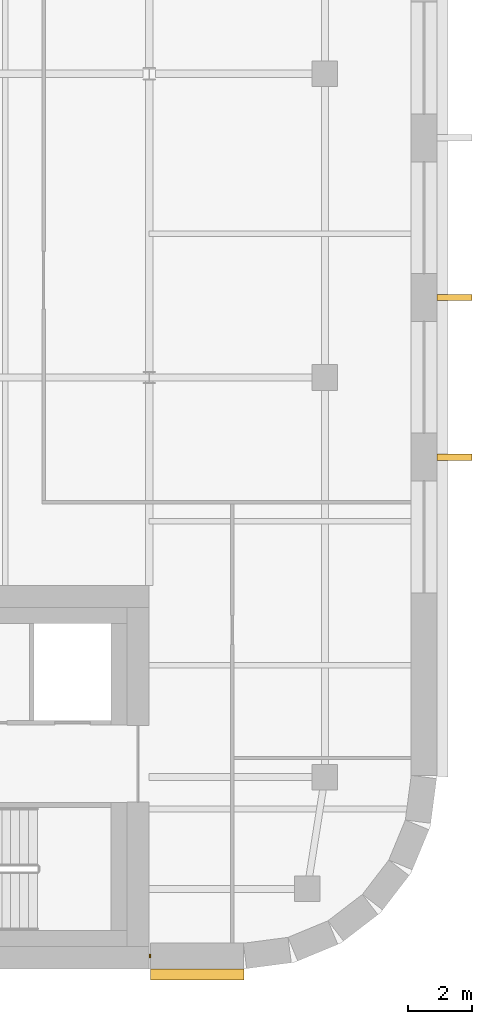
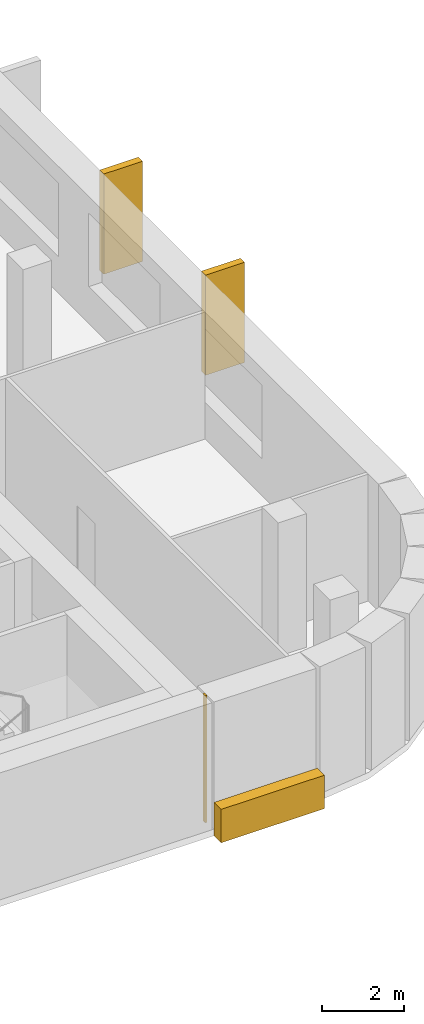
# One storey, part 15 of 16: 4 coverings.
"""IFC4 building model written with IfcOpenShell, lengths in metres."""

import ifcopenshell
import ifcopenshell.guid

model = None  # the IFC model being written
_history = None  # IfcOwnerHistory: only IFC2X3 demands one
_inside = {}  # id of a spatial element -> (the spatial element, [elements in it])
_under = {}  # id of a project, library or spatial element -> (it, [spatial elements below it])
_declared = {}  # id of a project -> (the project, [libraries it declares])
_typed = {}  # id of a type object -> (the type object, [elements of that type])
_made_of = {}  # id of a material, layer set ... -> (it, [elements and type objects made of it])


def new_model(schema):
    """Start an empty IFC model of exactly this schema.

    Asked for "IFC4X3", IfcOpenShell would pick the latest addendum, in which some entities
    have other attributes; the version numbers below select the first issue.
    IFC2X3 requires an IfcOwnerHistory on every rooted entity: one is made here for all.
    """
    global model, _history
    if schema == "IFC4X3":
        model = ifcopenshell.file(schema_version=(4, 3, 0, 0))
    else:
        model = ifcopenshell.file(schema=schema)
    _inside.clear()
    _under.clear()
    _declared.clear()
    _typed.clear()
    _made_of.clear()
    _history = None
    if model.schema == "IFC2X3":
        org = make("IfcOrganization", Name="unknown")
        user = make(
            "IfcPersonAndOrganization",
            ThePerson=make("IfcPerson", FamilyName="unknown"),
            TheOrganization=org,
        )
        app = make(
            "IfcApplication",
            ApplicationDeveloper=org,
            Version="unknown",
            ApplicationFullName="unknown",
            ApplicationIdentifier="unknown",
        )
        _history = make(
            "IfcOwnerHistory",
            OwningUser=user,
            OwningApplication=app,
            ChangeAction="ADDED",
            CreationDate=0,
        )
    return model


def make(cls, **values):
    """One entity of the class cls with the attributes given. An attribute that is None is left unset."""
    return model.create_entity(
        cls, **{name: value for name, value in values.items() if value is not None}
    )


def rooted(cls, **values):
    """An entity with a GlobalId (a new one), such as an element, a storey or a relation."""
    return make(cls, GlobalId=ifcopenshell.guid.new(), OwnerHistory=_history, **values)


def si_unit(unit_type, name, prefix=None):
    """IfcSIUnit, for example si_unit("LENGTHUNIT", "METRE", prefix="MILLI")."""
    return make("IfcSIUnit", UnitType=unit_type, Prefix=prefix, Name=name)


def assignment(units):
    """IfcUnitAssignment: the units of a project."""
    return None if units is None else make("IfcUnitAssignment", Units=units)


def point(xyz):
    """IfcCartesianPoint."""
    return None if xyz is None else make("IfcCartesianPoint", Coordinates=xyz)


def direction(xyz):
    """IfcDirection."""
    return None if xyz is None else make("IfcDirection", DirectionRatios=xyz)


def frame(location, z_axis=None, x_axis=None):
    """IfcAxis2Placement3D, a coordinate frame: its origin and axes. An axis left out is left unset."""
    return make(
        "IfcAxis2Placement3D",
        Location=point(location),
        Axis=direction(z_axis),
        RefDirection=direction(x_axis),
    )


def frame_2d(location, x_axis=None):
    """IfcAxis2Placement2D, a coordinate frame in the plane: its origin and x axis."""
    return make(
        "IfcAxis2Placement2D", Location=point(location), RefDirection=direction(x_axis)
    )


def origin():
    """The frame at (0, 0, 0) with its axes left unset."""
    return frame((0.0, 0.0, 0.0))


def origin_2d():
    """The frame at (0, 0) in the plane with its x axis left unset."""
    return frame_2d((0.0, 0.0))


def place(relative_to, where):
    """IfcLocalPlacement: puts the frame where relative to a parent placement (None: the world)."""
    return make(
        "IfcLocalPlacement", PlacementRelTo=relative_to, RelativePlacement=where
    )


def context(
    kind, dimensions, precision=None, world=None, true_north=None, identifier=None
):
    """IfcGeometricRepresentationContext, for example the 3D "Model" context."""
    return make(
        "IfcGeometricRepresentationContext",
        ContextIdentifier=identifier,
        ContextType=kind,
        CoordinateSpaceDimension=dimensions,
        Precision=precision,
        WorldCoordinateSystem=world,
        TrueNorth=true_north,
    )


def subcontext(parent, identifier, kind, view, scale=None):
    """IfcGeometricRepresentationSubContext, for example "Body" below "Model"."""
    return make(
        "IfcGeometricRepresentationSubContext",
        ContextIdentifier=identifier,
        ContextType=kind,
        ParentContext=parent,
        TargetScale=scale,
        TargetView=view,
    )


def project(units=None, contexts=None):
    """IfcProject with its units and contexts."""
    return rooted(
        "IfcProject",
        Name="project",
        RepresentationContexts=contexts,
        UnitsInContext=assignment(units),
    )


def spatial(cls, under=None, at=None, **own):
    """A site, building, storey or space (cls), placed at a placement, below another one or the project."""
    s = rooted(cls, ObjectPlacement=at, **own)
    if under is not None:
        _under.setdefault(under.id(), (under, []))[1].append(s)
    return s


def polyline(points):
    """IfcPolyline through the points."""
    return make("IfcPolyline", Points=[point(p) for p in points])


def profile(cls, at=None, kind="AREA", **sizes):
    """A parametric profile (cls). Its sizes go by their IFC names, for example OverallWidth=200.0."""
    return make(cls, ProfileType=kind, Position=at, **sizes)


def rectangle(**sizes):
    """IfcRectangleProfileDef."""
    return profile("IfcRectangleProfileDef", **sizes)


def outline(outer, holes=None, kind="AREA"):
    """IfcArbitraryClosedProfileDef: a profile drawn as a closed curve; with holes, ...WithVoids."""
    if holes is None:
        return make("IfcArbitraryClosedProfileDef", ProfileType=kind, OuterCurve=outer)
    return make(
        "IfcArbitraryProfileDefWithVoids",
        ProfileType=kind,
        OuterCurve=outer,
        InnerCurves=holes,
    )


def extrude(swept, where, along, depth):
    """IfcExtrudedAreaSolid: the profile swept, set in the frame where, extruded along a direction by depth."""
    return make(
        "IfcExtrudedAreaSolid",
        SweptArea=swept,
        Position=where,
        ExtrudedDirection=direction(along),
        Depth=depth,
    )


def shape(context_of_items, identifier, shape_type, items):
    """IfcShapeRepresentation: the items that make up one representation, for example the "Body"."""
    return make(
        "IfcShapeRepresentation",
        ContextOfItems=context_of_items,
        RepresentationIdentifier=identifier,
        RepresentationType=shape_type,
        Items=items,
    )


def material(Name=None, Category=None):
    """IfcMaterial."""
    return make("IfcMaterial", Name=Name, Category=Category)


def layer(
    of_material, thickness, ventilated=None, Name=None, Category=None, Priority=None
):
    """IfcMaterialLayer: one layer of a wall or slab, of a material (None: an air gap)."""
    return make(
        "IfcMaterialLayer",
        Material=of_material,
        LayerThickness=thickness,
        IsVentilated=ventilated,
        Name=Name,
        Category=Category,
        Priority=Priority,
    )


def layer_set(layers, Name=None):
    """IfcMaterialLayerSet."""
    return make("IfcMaterialLayerSet", MaterialLayers=layers, LayerSetName=Name)


def made_of(thing, what):
    """Note that an element or type object is made of a material, layer set ...; save() writes the relation."""
    if what is not None:
        _made_of.setdefault(what.id(), (what, []))[1].append(thing)
    return thing


def type_object(cls, material=None, **own):
    """A type object (cls), such as IfcWallType, which elements share."""
    return made_of(rooted(cls, **own), material)


def element(
    cls,
    number,
    at=None,
    inside=None,
    cuts=None,
    type_object=None,
    material=None,
    context=None,
    identifier="Body",
    shape_type=None,
    held_by="IfcProductDefinitionShape",
    body=None,
    shapes=None,
    **own,
):
    """One element of the class cls, such as IfcWall. Its Tag is "e" and its number.

    at: its placement. inside: the storey or other place that contains it. cuts: it is an
    opening in that element (IfcRelVoidsElement). A single representation is given by context,
    identifier, shape_type and body (its items); several are given by shapes. held_by: the class
    of the entity that holds the representations. save() writes the other relations.
    """
    e = rooted(cls, Tag="e%d" % number, ObjectPlacement=at, **own)
    if body is not None:
        shapes = [shape(context, identifier, shape_type, body)]
    if shapes is not None:
        e.Representation = make(held_by, Representations=shapes)
    if inside is not None:
        _inside.setdefault(inside.id(), (inside, []))[1].append(e)
    if cuts is not None:
        rooted(
            "IfcRelVoidsElement", RelatingBuildingElement=cuts, RelatedOpeningElement=e
        )
    if type_object is not None:
        _typed.setdefault(type_object.id(), (type_object, []))[1].append(e)
    return made_of(e, material)


def aggregate(whole, parts):
    """IfcRelAggregates: a whole, such as a stair, and the parts it consists of."""
    return rooted("IfcRelAggregates", RelatingObject=whole, RelatedObjects=parts)


def save(model, path):
    """Write the relations noted so far, then the file.

    IfcRelAggregates (storeys below a building ...), IfcRelContainedInSpatialStructure (elements
    in a storey), IfcRelDefinesByType, IfcRelAssociatesMaterial and IfcRelDeclares: one each for
    every whole, place, type object, material and project.
    """
    for whole, parts in _under.values():
        aggregate(whole, parts)
    for where, things in _inside.values():
        rooted(
            "IfcRelContainedInSpatialStructure",
            RelatedElements=things,
            RelatingStructure=where,
        )
    for kind, things in _typed.values():
        rooted("IfcRelDefinesByType", RelatedObjects=things, RelatingType=kind)
    for what, things in _made_of.values():
        rooted("IfcRelAssociatesMaterial", RelatedObjects=things, RelatingMaterial=what)
    for by, libraries in _declared.values():
        rooted("IfcRelDeclares", RelatingContext=by, RelatedDefinitions=libraries)
    model.write(path)


model = new_model("IFC4")

# Units and contexts
model_context = context("Model", 3, precision=1e-05, world=origin(), true_north=direction((0.0, 1.0)))
body_context = subcontext(model_context, "Body", "Model", "MODEL_VIEW")
ifc_project = project(units=[si_unit("LENGTHUNIT", "METRE"), si_unit("AREAUNIT", "SQUARE_METRE"), si_unit("VOLUMEUNIT", "CUBIC_METRE"), si_unit("PLANEANGLEUNIT", "RADIAN"), si_unit("MASSUNIT", "GRAM", prefix="KILO")], contexts=[model_context])

# Site, building, storey
site_placement = place(None, origin())
site = spatial("IfcSite", under=ifc_project, at=site_placement, CompositionType="ELEMENT")
building_placement = place(site_placement, origin())
building = spatial("IfcBuilding", under=site, at=building_placement, Name="Zellij Exchange Tower", CompositionType="ELEMENT")
storey_placement = place(building_placement, frame((0.0, 0.0, 236.5)))
storey = spatial("IfcBuildingStorey", under=building, at=storey_placement, Name="L55", CompositionType="ELEMENT", Elevation=236.5)

# Coverings
ifc_material = material(Name="Limestone cladding", Category="masonry")
ifc_layer_1 = layer(ifc_material, 0.35009765625)
ifc_layer_set_1 = layer_set([ifc_layer_1], Name="Limestone cladding")
covering_type_1 = type_object("IfcCoveringType", Name="ENV-CV10 Stone spandrel band 350", PredefinedType="CLADDING", material=ifc_layer_set_1)
covering_1_placement = place(storey_placement, frame((0.0, 0.0, -0.199951171875)))
element("IfcCovering", 1, at=covering_1_placement, inside=storey, type_object=covering_type_1, Name="Stone spandrel band", PredefinedType="CLADDING", context=body_context, shape_type="SweptSolid", body=[
    extrude(outline(polyline([(27.050048828125, -14.0), (29.973876953125, -14.0), (29.973876953125, -14.35009765625), (27.050048828125, -14.35009765625), (27.050048828125, -14.0)])), origin(), (0.0, 0.0, 1.0), 1.0),
])
ifc_layer_2 = layer(ifc_material, 0.1201171875)
ifc_layer_set_2 = layer_set([ifc_layer_2], Name="Limestone cladding")
covering_type_2 = type_object("IfcCoveringType", Name="ENV-CV18 Glazing closer 120", PredefinedType="CLADDING", material=ifc_layer_set_2)
covering_2_placement = place(storey_placement, frame((27.02490234375, -13.60009765625, 0.0), z_axis=(0.0, 0.0, 1.0), x_axis=(-1.0, 0.0, 0.0)))
element("IfcCovering", 2, at=covering_2_placement, inside=storey, type_object=covering_type_2, Name="Glazing closer", PredefinedType="CLADDING", context=body_context, shape_type="SweptSolid", body=[
    extrude(rectangle(XDim=0.050048828125, YDim=0.1201171875, at=origin_2d()), origin(), (0.0, 0.0, 1.0), 3.800048828125),
])
covering_type_3 = type_object("IfcCoveringType", Name="ENV-CV6 Stone pier 200x1100", PredefinedType="CLADDING", material=ifc_material)
covering_3_placement = place(storey_placement, frame((0.0, 0.0, 0.800048828125)))
element("IfcCovering", 3, at=covering_3_placement, inside=storey, type_object=covering_type_3, Name="Stone pier", PredefinedType="CLADDING", context=body_context, shape_type="SweptSolid", body=[
    extrude(outline(polyline([(36.0, 1.9111328125), (36.0, 2.111083984375), (37.10009765625, 2.111083984375), (37.10009765625, 1.9111328125), (36.0, 1.9111328125)])), origin(), (0.0, 0.0, 1.0), 3.0),
])
covering_4_placement = place(storey_placement, frame((0.0, 0.0, 0.800048828125)))
element("IfcCovering", 4, at=covering_4_placement, inside=storey, type_object=covering_type_3, Name="Stone pier", PredefinedType="CLADDING", context=body_context, shape_type="SweptSolid", body=[
    extrude(outline(polyline([(36.0, 6.90380859375), (36.0, 7.103759765625), (37.10009765625, 7.103759765625), (37.10009765625, 6.90380859375), (36.0, 6.90380859375)])), origin(), (0.0, 0.0, 1.0), 3.0),
])

save(model, "model.ifc")
